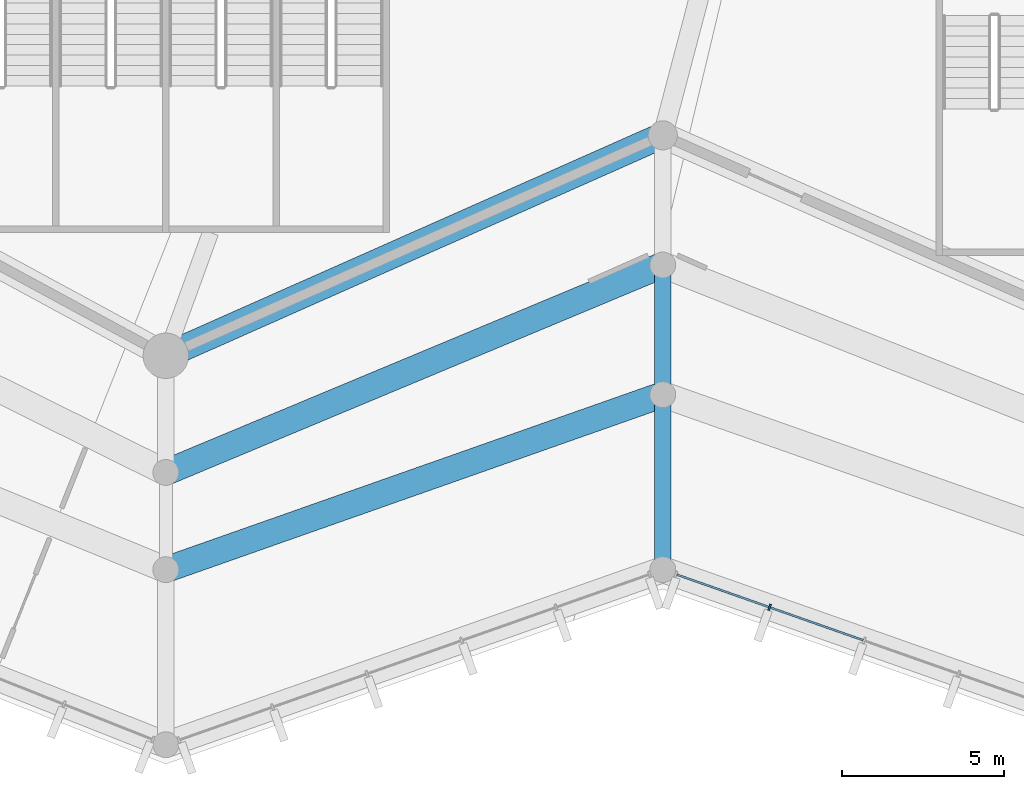
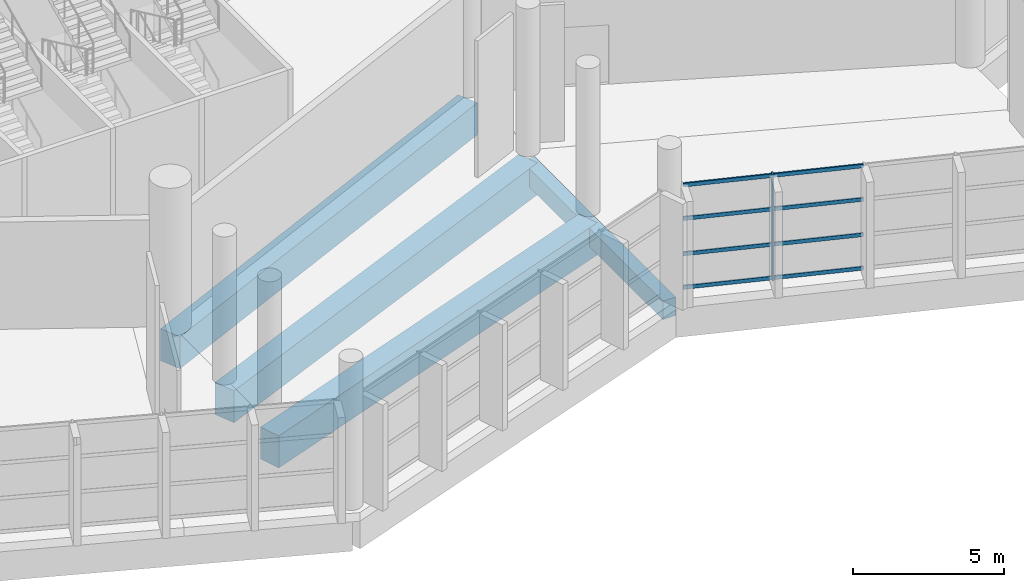
# One storey, part 13 of 249: 9 members, 5 beams, 1 element without a shape of its own.
"""IFC4 building model written with IfcOpenShell, lengths in metres."""

import ifcopenshell
import ifcopenshell.guid

model = None  # the IFC model being written
_history = None  # IfcOwnerHistory: only IFC2X3 demands one
_inside = {}  # id of a spatial element -> (the spatial element, [elements in it])
_under = {}  # id of a project, library or spatial element -> (it, [spatial elements below it])
_declared = {}  # id of a project -> (the project, [libraries it declares])
_typed = {}  # id of a type object -> (the type object, [elements of that type])
_made_of = {}  # id of a material, layer set ... -> (it, [elements and type objects made of it])


def new_model(schema):
    """Start an empty IFC model of exactly this schema.

    Asked for "IFC4X3", IfcOpenShell would pick the latest addendum, in which some entities
    have other attributes; the version numbers below select the first issue.
    IFC2X3 requires an IfcOwnerHistory on every rooted entity: one is made here for all.
    """
    global model, _history
    if schema == "IFC4X3":
        model = ifcopenshell.file(schema_version=(4, 3, 0, 0))
    else:
        model = ifcopenshell.file(schema=schema)
    _inside.clear()
    _under.clear()
    _declared.clear()
    _typed.clear()
    _made_of.clear()
    _history = None
    if model.schema == "IFC2X3":
        org = make("IfcOrganization", Name="unknown")
        user = make(
            "IfcPersonAndOrganization",
            ThePerson=make("IfcPerson", FamilyName="unknown"),
            TheOrganization=org,
        )
        app = make(
            "IfcApplication",
            ApplicationDeveloper=org,
            Version="unknown",
            ApplicationFullName="unknown",
            ApplicationIdentifier="unknown",
        )
        _history = make(
            "IfcOwnerHistory",
            OwningUser=user,
            OwningApplication=app,
            ChangeAction="ADDED",
            CreationDate=0,
        )
    return model


def make(cls, **values):
    """One entity of the class cls with the attributes given. An attribute that is None is left unset."""
    return model.create_entity(
        cls, **{name: value for name, value in values.items() if value is not None}
    )


def rooted(cls, **values):
    """An entity with a GlobalId (a new one), such as an element, a storey or a relation."""
    return make(cls, GlobalId=ifcopenshell.guid.new(), OwnerHistory=_history, **values)


def si_unit(unit_type, name, prefix=None):
    """IfcSIUnit, for example si_unit("LENGTHUNIT", "METRE", prefix="MILLI")."""
    return make("IfcSIUnit", UnitType=unit_type, Prefix=prefix, Name=name)


def assignment(units):
    """IfcUnitAssignment: the units of a project."""
    return None if units is None else make("IfcUnitAssignment", Units=units)


def point(xyz):
    """IfcCartesianPoint."""
    return None if xyz is None else make("IfcCartesianPoint", Coordinates=xyz)


def direction(xyz):
    """IfcDirection."""
    return None if xyz is None else make("IfcDirection", DirectionRatios=xyz)


def frame(location, z_axis=None, x_axis=None):
    """IfcAxis2Placement3D, a coordinate frame: its origin and axes. An axis left out is left unset."""
    return make(
        "IfcAxis2Placement3D",
        Location=point(location),
        Axis=direction(z_axis),
        RefDirection=direction(x_axis),
    )


def frame_2d(location, x_axis=None):
    """IfcAxis2Placement2D, a coordinate frame in the plane: its origin and x axis."""
    return make(
        "IfcAxis2Placement2D", Location=point(location), RefDirection=direction(x_axis)
    )


def origin():
    """The frame at (0, 0, 0) with its axes left unset."""
    return frame((0.0, 0.0, 0.0))


def origin_2d():
    """The frame at (0, 0) in the plane with its x axis left unset."""
    return frame_2d((0.0, 0.0))


def place(relative_to, where):
    """IfcLocalPlacement: puts the frame where relative to a parent placement (None: the world)."""
    return make(
        "IfcLocalPlacement", PlacementRelTo=relative_to, RelativePlacement=where
    )


def context(
    kind, dimensions, precision=None, world=None, true_north=None, identifier=None
):
    """IfcGeometricRepresentationContext, for example the 3D "Model" context."""
    return make(
        "IfcGeometricRepresentationContext",
        ContextIdentifier=identifier,
        ContextType=kind,
        CoordinateSpaceDimension=dimensions,
        Precision=precision,
        WorldCoordinateSystem=world,
        TrueNorth=true_north,
    )


def subcontext(parent, identifier, kind, view, scale=None):
    """IfcGeometricRepresentationSubContext, for example "Body" below "Model"."""
    return make(
        "IfcGeometricRepresentationSubContext",
        ContextIdentifier=identifier,
        ContextType=kind,
        ParentContext=parent,
        TargetScale=scale,
        TargetView=view,
    )


def project(units=None, contexts=None):
    """IfcProject with its units and contexts."""
    return rooted(
        "IfcProject",
        Name="project",
        RepresentationContexts=contexts,
        UnitsInContext=assignment(units),
    )


def spatial(cls, under=None, at=None, **own):
    """A site, building, storey or space (cls), placed at a placement, below another one or the project."""
    s = rooted(cls, ObjectPlacement=at, **own)
    if under is not None:
        _under.setdefault(under.id(), (under, []))[1].append(s)
    return s


def profile(cls, at=None, kind="AREA", **sizes):
    """A parametric profile (cls). Its sizes go by their IFC names, for example OverallWidth=200.0."""
    return make(cls, ProfileType=kind, Position=at, **sizes)


def rectangle(**sizes):
    """IfcRectangleProfileDef."""
    return profile("IfcRectangleProfileDef", **sizes)


def extrude(swept, where, along, depth):
    """IfcExtrudedAreaSolid: the profile swept, set in the frame where, extruded along a direction by depth."""
    return make(
        "IfcExtrudedAreaSolid",
        SweptArea=swept,
        Position=where,
        ExtrudedDirection=direction(along),
        Depth=depth,
    )


def shape(context_of_items, identifier, shape_type, items):
    """IfcShapeRepresentation: the items that make up one representation, for example the "Body"."""
    return make(
        "IfcShapeRepresentation",
        ContextOfItems=context_of_items,
        RepresentationIdentifier=identifier,
        RepresentationType=shape_type,
        Items=items,
    )


def material(Name=None, Category=None):
    """IfcMaterial."""
    return make("IfcMaterial", Name=Name, Category=Category)


def layer(
    of_material, thickness, ventilated=None, Name=None, Category=None, Priority=None
):
    """IfcMaterialLayer: one layer of a wall or slab, of a material (None: an air gap)."""
    return make(
        "IfcMaterialLayer",
        Material=of_material,
        LayerThickness=thickness,
        IsVentilated=ventilated,
        Name=Name,
        Category=Category,
        Priority=Priority,
    )


def layer_set(layers, Name=None):
    """IfcMaterialLayerSet."""
    return make("IfcMaterialLayerSet", MaterialLayers=layers, LayerSetName=Name)


def material_profile(
    of_material, cross_section, Name=None, Category=None, Priority=None
):
    """IfcMaterialProfile: a cross section and its material."""
    return make(
        "IfcMaterialProfile",
        Name=Name,
        Material=of_material,
        Profile=cross_section,
        Priority=Priority,
        Category=Category,
    )


def profile_set(profiles, Name=None, composite=None):
    """IfcMaterialProfileSet."""
    return make(
        "IfcMaterialProfileSet",
        Name=Name,
        MaterialProfiles=profiles,
        CompositeProfile=composite,
    )


def made_of(thing, what):
    """Note that an element or type object is made of a material, layer set ...; save() writes the relation."""
    if what is not None:
        _made_of.setdefault(what.id(), (what, []))[1].append(thing)
    return thing


def type_object(cls, material=None, **own):
    """A type object (cls), such as IfcWallType, which elements share."""
    return made_of(rooted(cls, **own), material)


def element(
    cls,
    number,
    at=None,
    inside=None,
    cuts=None,
    type_object=None,
    material=None,
    context=None,
    identifier="Body",
    shape_type=None,
    held_by="IfcProductDefinitionShape",
    body=None,
    shapes=None,
    **own,
):
    """One element of the class cls, such as IfcWall. Its Tag is "e" and its number.

    at: its placement. inside: the storey or other place that contains it. cuts: it is an
    opening in that element (IfcRelVoidsElement). A single representation is given by context,
    identifier, shape_type and body (its items); several are given by shapes. held_by: the class
    of the entity that holds the representations. save() writes the other relations.
    """
    e = rooted(cls, Tag="e%d" % number, ObjectPlacement=at, **own)
    if body is not None:
        shapes = [shape(context, identifier, shape_type, body)]
    if shapes is not None:
        e.Representation = make(held_by, Representations=shapes)
    if inside is not None:
        _inside.setdefault(inside.id(), (inside, []))[1].append(e)
    if cuts is not None:
        rooted(
            "IfcRelVoidsElement", RelatingBuildingElement=cuts, RelatedOpeningElement=e
        )
    if type_object is not None:
        _typed.setdefault(type_object.id(), (type_object, []))[1].append(e)
    return made_of(e, material)


def aggregate(whole, parts):
    """IfcRelAggregates: a whole, such as a stair, and the parts it consists of."""
    return rooted("IfcRelAggregates", RelatingObject=whole, RelatedObjects=parts)


def save(model, path):
    """Write the relations noted so far, then the file.

    IfcRelAggregates (storeys below a building ...), IfcRelContainedInSpatialStructure (elements
    in a storey), IfcRelDefinesByType, IfcRelAssociatesMaterial and IfcRelDeclares: one each for
    every whole, place, type object, material and project.
    """
    for whole, parts in _under.values():
        aggregate(whole, parts)
    for where, things in _inside.values():
        rooted(
            "IfcRelContainedInSpatialStructure",
            RelatedElements=things,
            RelatingStructure=where,
        )
    for kind, things in _typed.values():
        rooted("IfcRelDefinesByType", RelatedObjects=things, RelatingType=kind)
    for what, things in _made_of.values():
        rooted("IfcRelAssociatesMaterial", RelatedObjects=things, RelatingMaterial=what)
    for by, libraries in _declared.values():
        rooted("IfcRelDeclares", RelatingContext=by, RelatedDefinitions=libraries)
    model.write(path)


model = new_model("IFC4")

# Units and contexts
model_context = context("Model", 3, precision=1e-05, world=origin(), true_north=direction((0.0, 1.0)))
body_context = subcontext(model_context, "Body", "Model", "MODEL_VIEW")
ifc_project = project(units=[si_unit("LENGTHUNIT", "METRE"), si_unit("AREAUNIT", "SQUARE_METRE"), si_unit("VOLUMEUNIT", "CUBIC_METRE"), si_unit("PLANEANGLEUNIT", "RADIAN"), si_unit("MASSUNIT", "GRAM", prefix="KILO")], contexts=[model_context])

# Site, building, storey
site_placement = place(None, origin())
site = spatial("IfcSite", under=ifc_project, at=site_placement, CompositionType="ELEMENT")
building_placement = place(site_placement, origin())
building = spatial("IfcBuilding", under=site, at=building_placement, Name="Meseta Stadium", CompositionType="ELEMENT")
storey_placement = place(building_placement, frame((0.0, 0.0, 12.0)))
storey = spatial("IfcBuildingStorey", under=building, at=storey_placement, Name="L02", CompositionType="ELEMENT", Elevation=12.0)

# Beams
ifc_material_1 = material(Name="Concrete C40/50", Category="concrete")
ifc_material_profile_1 = material_profile(ifc_material_1, rectangle(XDim=0.5, YDim=0.75, at=origin_2d()), Name="RC 500x750")
ifc_profile_set_1 = profile_set([ifc_material_profile_1], Name="Concrete C40/50")
beam_type_1 = type_object("IfcBeamType", Name="RC beam 500x750", PredefinedType="BEAM", material=ifc_profile_set_1)
beam_1_placement = place(storey_placement, frame((-23.0, -102.60009765625, -0.72509765625), z_axis=(0.0, -1.0, 0.0), x_axis=(1.0, 0.0, 0.0)))
element("IfcBeam", 1, at=beam_1_placement, inside=storey, type_object=beam_type_1, Name="L02 radial beam frame 45 line M to Q", PredefinedType="BEAM", context=body_context, shape_type="SweptSolid", body=[
    extrude(rectangle(XDim=0.5, YDim=0.75, at=origin_2d()), origin(), (0.0, 0.0, 1.0), 4.0),
])
beam_2_placement = place(storey_placement, frame((-23.0, -106.60009765625, -0.72509765625), z_axis=(0.0, -1.0, 0.0), x_axis=(1.0, 0.0, 0.0)))
element("IfcBeam", 2, at=beam_2_placement, inside=storey, type_object=beam_type_1, Name="L02 radial beam frame 45 line Q to O", PredefinedType="BEAM", context=body_context, shape_type="SweptSolid", body=[
    extrude(rectangle(XDim=0.5, YDim=0.75, at=origin_2d()), origin(), (0.0, 0.0, 1.0), 5.39990234375),
])
ifc_material_2 = material(Name="Concrete C40/50", Category="concrete")
ifc_material_profile_2 = material_profile(ifc_material_2, rectangle(XDim=0.800048828125, YDim=1.300048828125, at=origin_2d()), Name="RC 800x1300")
ifc_profile_set_2 = profile_set([ifc_material_profile_2], Name="Concrete C40/50")
beam_type_2 = type_object("IfcBeamType", Name="RC beam 800x1300", PredefinedType="BEAM", material=ifc_profile_set_2)
beam_3_placement = place(storey_placement, frame((-38.333251953125, -105.39990234375, -1.0), z_axis=(0.914142564088, 0.405392861953, 0.0), x_axis=(-0.405392861953, 0.914142564088, 0.0)))
element("IfcBeam", 3, at=beam_3_placement, inside=storey, type_object=beam_type_2, Name="L02 ring beam frame 44 line R", PredefinedType="BEAM", context=body_context, shape_type="SweptSolid", body=[
    extrude(rectangle(XDim=0.800048828125, YDim=1.300048828125, at=origin_2d()), origin(), (0.0, 0.0, 1.0), 16.7734375),
])
beam_4_placement = place(storey_placement, frame((-38.333251953125, -109.0, -1.0), z_axis=(0.922840692895, 0.385181847362, 0.0), x_axis=(-0.385181847362, 0.922840692895, 0.0)))
element("IfcBeam", 4, at=beam_4_placement, inside=storey, type_object=beam_type_2, Name="L02 ring beam frame 44 line M", PredefinedType="BEAM", context=body_context, shape_type="SweptSolid", body=[
    extrude(rectangle(XDim=0.800048828125, YDim=1.300048828125, at=origin_2d()), origin(), (0.0, 0.0, 1.0), 16.615234375),
])
beam_5_placement = place(storey_placement, frame((-38.333251953125, -112.0, -1.0), z_axis=(0.943218573019, 0.332172731439, 0.0), x_axis=(-0.332172731439, 0.943218573019, 0.0)))
element("IfcBeam", 5, at=beam_5_placement, inside=storey, type_object=beam_type_2, Name="L02 ring beam frame 44 line Q", PredefinedType="BEAM", context=body_context, shape_type="SweptSolid", body=[
    extrude(rectangle(XDim=0.800048828125, YDim=1.300048828125, at=origin_2d()), origin(), (0.0, 0.0, 1.0), 16.25634765625),
])

# Curtain wall, members
ifc_material_3 = material(Name="Aluminium", Category="aluminium")
ifc_layer = layer(ifc_material_3, 0.199951171875)
ifc_layer_set = layer_set([ifc_layer], Name="Ring shopfront curtain wall")
curtain_wall_type = type_object("IfcCurtainWallType", Name="Ring shopfront curtain wall", PredefinedType="NOTDEFINED", material=ifc_layer_set)
curtain_wall_placement = place(storey_placement, origin())
curtain_wall = element("IfcCurtainWall", 6, at=curtain_wall_placement, inside=storey, type_object=curtain_wall_type, Name="Ring glazing L02 F45", PredefinedType="NOTDEFINED")
ifc_material_4 = material(Name="Aluminium", Category="aluminium")
ifc_material_profile_3 = material_profile(ifc_material_4, rectangle(XDim=0.199951171875, YDim=0.06005859375, at=origin_2d()), Name="CW 200x60")
ifc_profile_set_3 = profile_set([ifc_material_profile_3], Name="Aluminium")
member_type_1 = type_object("IfcMemberType", Name="Ring CW mullion 60x200", PredefinedType="MULLION", material=ifc_profile_set_3)
member_1_placement = place(storey_placement, frame((-19.70703125, -113.15966796875, 0.0), z_axis=(0.0, 0.0, 1.0), x_axis=(0.332174330154, 0.943218009999, 0.0)))
member_1 = element("IfcMember", 7, at=member_1_placement, type_object=member_type_1, Name="CWR1 mullion 2", PredefinedType="MULLION", context=body_context, shape_type="SweptSolid", body=[
    extrude(rectangle(XDim=0.199951171875, YDim=0.06005859375, at=origin_2d()), origin(), (0.0, 0.0, 1.0), 4.300048828125),
])
ifc_material_5 = material(Name="Aluminium", Category="aluminium")
ifc_material_profile_4 = material_profile(ifc_material_5, rectangle(XDim=0.06005859375, YDim=0.14990234375, at=origin_2d()), Name="CW 60x150")
ifc_profile_set_4 = profile_set([ifc_material_profile_4], Name="Aluminium")
member_type_2 = type_object("IfcMemberType", Name="Ring CW transom 60x150", PredefinedType="USERDEFINED", material=ifc_profile_set_4)
member_2_placement = place(storey_placement, frame((-22.566162109375, -112.15283203125, 0.074951171875), z_axis=(0.943228878245, -0.332143467863, 0.0), x_axis=(0.332143467863, 0.943228878245, 0.0)))
member_2 = element("IfcMember", 8, at=member_2_placement, type_object=member_type_2, Name="CWR1 transom 1.1", ObjectType="TRANSOM", PredefinedType="USERDEFINED", context=body_context, shape_type="SweptSolid", body=[
    extrude(rectangle(XDim=0.06005859375, YDim=0.14990234375, at=origin_2d()), origin(), (0.0, 0.0, 1.0), 3.001220703125),
])
member_3_placement = place(storey_placement, frame((-22.566162109375, -112.15283203125, 1.433349609375), z_axis=(0.943228878245, -0.332143467863, 0.0), x_axis=(0.332143467863, 0.943228878245, 0.0)))
member_3 = element("IfcMember", 9, at=member_3_placement, type_object=member_type_2, Name="CWR1 transom 1.2", ObjectType="TRANSOM", PredefinedType="USERDEFINED", context=body_context, shape_type="SweptSolid", body=[
    extrude(rectangle(XDim=0.06005859375, YDim=0.14990234375, at=origin_2d()), origin(), (0.0, 0.0, 1.0), 3.001220703125),
])
member_4_placement = place(storey_placement, frame((-22.566162109375, -112.15283203125, 2.86669921875), z_axis=(0.943228878245, -0.332143467863, 0.0), x_axis=(0.332143467863, 0.943228878245, 0.0)))
member_4 = element("IfcMember", 10, at=member_4_placement, type_object=member_type_2, Name="CWR1 transom 1.3", ObjectType="TRANSOM", PredefinedType="USERDEFINED", context=body_context, shape_type="SweptSolid", body=[
    extrude(rectangle(XDim=0.06005859375, YDim=0.14990234375, at=origin_2d()), origin(), (0.0, 0.0, 1.0), 3.001220703125),
])
member_5_placement = place(storey_placement, frame((-22.566162109375, -112.15283203125, 4.22509765625), z_axis=(0.943228878245, -0.332143467863, 0.0), x_axis=(0.332143467863, 0.943228878245, 0.0)))
member_5 = element("IfcMember", 11, at=member_5_placement, type_object=member_type_2, Name="CWR1 transom 1.4", ObjectType="TRANSOM", PredefinedType="USERDEFINED", context=body_context, shape_type="SweptSolid", body=[
    extrude(rectangle(XDim=0.06005859375, YDim=0.14990234375, at=origin_2d()), origin(), (0.0, 0.0, 1.0), 3.001220703125),
])
member_6_placement = place(storey_placement, frame((-19.6787109375, -113.169677734375, 0.074951171875), z_axis=(0.943225032885, -0.332154387808, 0.0), x_axis=(0.332154387808, 0.943225032885, 0.0)))
member_6 = element("IfcMember", 12, at=member_6_placement, type_object=member_type_2, Name="CWR1 transom 2.1", ObjectType="TRANSOM", PredefinedType="USERDEFINED", context=body_context, shape_type="SweptSolid", body=[
    extrude(rectangle(XDim=0.06005859375, YDim=0.14990234375, at=origin_2d()), origin(), (0.0, 0.0, 1.0), 3.03125),
])
member_7_placement = place(storey_placement, frame((-19.6787109375, -113.169677734375, 1.433349609375), z_axis=(0.943225032885, -0.332154387808, 0.0), x_axis=(0.332154387808, 0.943225032885, 0.0)))
member_7 = element("IfcMember", 13, at=member_7_placement, type_object=member_type_2, Name="CWR1 transom 2.2", ObjectType="TRANSOM", PredefinedType="USERDEFINED", context=body_context, shape_type="SweptSolid", body=[
    extrude(rectangle(XDim=0.06005859375, YDim=0.14990234375, at=origin_2d()), origin(), (0.0, 0.0, 1.0), 3.03125),
])
member_8_placement = place(storey_placement, frame((-19.6787109375, -113.169677734375, 2.86669921875), z_axis=(0.943225032885, -0.332154387808, 0.0), x_axis=(0.332154387808, 0.943225032885, 0.0)))
member_8 = element("IfcMember", 14, at=member_8_placement, type_object=member_type_2, Name="CWR1 transom 2.3", ObjectType="TRANSOM", PredefinedType="USERDEFINED", context=body_context, shape_type="SweptSolid", body=[
    extrude(rectangle(XDim=0.06005859375, YDim=0.14990234375, at=origin_2d()), origin(), (0.0, 0.0, 1.0), 3.03125),
])
member_9_placement = place(storey_placement, frame((-19.6787109375, -113.169677734375, 4.22509765625), z_axis=(0.943225032885, -0.332154387808, 0.0), x_axis=(0.332154387808, 0.943225032885, 0.0)))
member_9 = element("IfcMember", 15, at=member_9_placement, type_object=member_type_2, Name="CWR1 transom 2.4", ObjectType="TRANSOM", PredefinedType="USERDEFINED", context=body_context, shape_type="SweptSolid", body=[
    extrude(rectangle(XDim=0.06005859375, YDim=0.14990234375, at=origin_2d()), origin(), (0.0, 0.0, 1.0), 3.03125),
])
aggregate(curtain_wall, [member_1, member_2, member_3, member_4, member_5, member_6, member_7, member_8, member_9])

save(model, "model.ifc")
